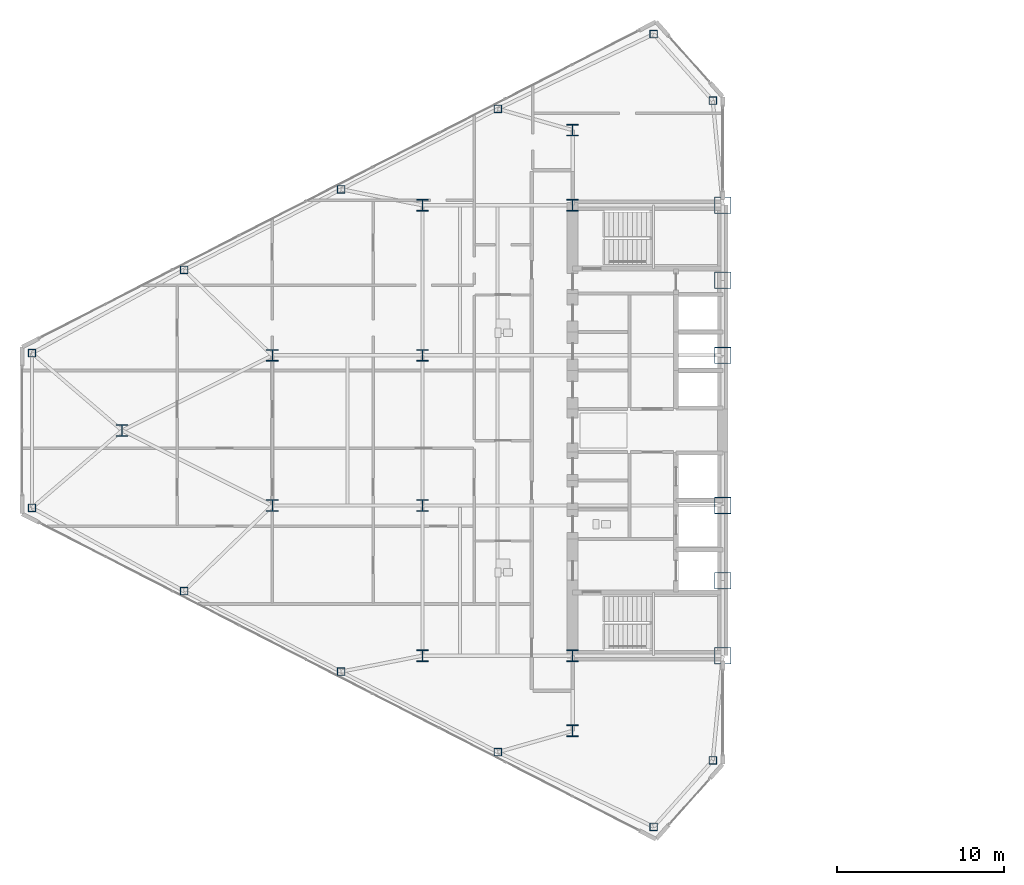
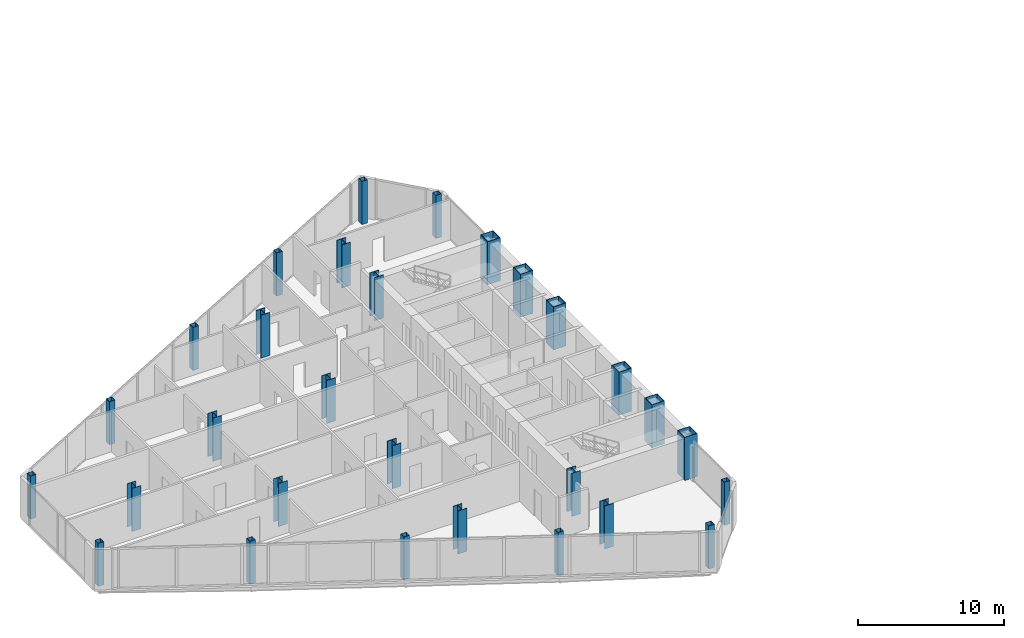
# One storey, part 1 of 24: 29 columns.
"""IFC4 building model written with IfcOpenShell, lengths in metres."""

from ifc_helpers import new_model, si_unit, direction, frame, origin, origin_2d, place, context, subcontext, project, spatial, hollow_rectangle, i_section, extrude, source, transform, mapped, material, material_profile, profile_set, type_object, type_shapes, element, save


model = new_model("IFC4")

# Units and contexts
model_context = context("Model", 3, precision=1e-05, world=origin(), true_north=direction((0.0, 1.0)))
body_context = subcontext(model_context, "Body", "Model", "MODEL_VIEW")
ifc_project = project(units=[si_unit("LENGTHUNIT", "METRE"), si_unit("AREAUNIT", "SQUARE_METRE"), si_unit("VOLUMEUNIT", "CUBIC_METRE"), si_unit("PLANEANGLEUNIT", "RADIAN"), si_unit("MASSUNIT", "GRAM", prefix="KILO")], contexts=[model_context])

# Site, building, storey
site_placement = place(None, origin())
site = spatial("IfcSite", under=ifc_project, at=site_placement, CompositionType="ELEMENT")
building_placement = place(site_placement, origin())
building = spatial("IfcBuilding", under=site, at=building_placement, Name="Seokmaru Belvedere", CompositionType="ELEMENT")
storey_placement = place(building_placement, frame((0.0, 0.0, 124.800048828125)))
storey = spatial("IfcBuildingStorey", under=building, at=storey_placement, Name="L33", CompositionType="ELEMENT", Elevation=124.800048828125)

# Columns
ifc_material_1 = material(Name="Steel HSA650 (650 MPa)", Category="steel")
ifc_material_profile_1 = material_profile(ifc_material_1, hollow_rectangle(XDim=1.0, YDim=1.0, WallThickness=0.0419921875, at=origin_2d()), Name="BOX-1000x1000x42")
ifc_profile_set_1 = profile_set([ifc_material_profile_1], Name="Steel HSA650 (650 MPa)")
column_type_1 = type_object("IfcColumnType", Name="Portal Spine Column BOX-1000", PredefinedType="COLUMN", material=ifc_profile_set_1)
shared_shape_1 = source(origin(), body_context, "Body", "SweptSolid", [
    extrude(hollow_rectangle(XDim=1.0, YDim=1.0, WallThickness=0.0419921875, at=origin_2d()), origin(), (0.0, 0.0, 1.0), 3.599853515625),
])
type_shapes(column_type_1, [shared_shape_1])
for number, where, z_axis, x_axis, name in (
    (1, (-27.5, -13.5, 0.0), (0.0, 0.0, 1.0), (1.0, 0.0, 0.0), "L33 Column WS1"),
    (2, (-27.5, -9.0, 0.0), (0.0, 0.0, 1.0), (1.0, 0.0, 0.0), "L33 Column WS2"),
    (3, (-27.5, -4.5, 0.0), (0.0, 0.0, 1.0), (1.0, 0.0, 0.0), "L33 Column WS3"),
    (4, (-27.5, 4.5, 0.0), (0.0, 0.0, 1.0), (1.0, 0.0, 0.0), "L33 Column WS4"),
    (5, (-27.5, 9.0, 0.0), (0.0, 0.0, 1.0), (1.0, 0.0, 0.0), "L33 Column WS5"),
    (6, (-27.5, 13.5, 0.0), (0.0, 0.0, 1.0), (1.0, 0.0, 0.0), "L33 Column WS6"),
):
    element("IfcColumn", number, at=place(storey_placement, frame(where, z_axis=z_axis, x_axis=x_axis)), inside=storey, type_object=column_type_1, Name=name, PredefinedType="COLUMN", context=body_context, shape_type="MappedRepresentation", body=[
        mapped(shared_shape_1, transform((0.0, 0.0, 0.0), scale=1.0)),
    ])
ifc_material_2 = material(Name="Steel SM355 (355 MPa)", Category="steel")
ifc_material_profile_2 = material_profile(ifc_material_2, i_section(OverallWidth=0.699951171875, OverallDepth=0.699951171875, WebThickness=0.028076171875, FlangeThickness=0.044921875, at=origin_2d()), Name="H-700x700x28x45")
ifc_profile_set_2 = profile_set([ifc_material_profile_2], Name="Steel SM355 (355 MPa)")
column_type_2 = type_object("IfcColumnType", Name="Mid Interior Column H-700", PredefinedType="COLUMN", material=ifc_profile_set_2)
shared_shape_2 = source(origin(), body_context, "Body", "SweptSolid", [
    extrude(i_section(OverallWidth=0.699951171875, OverallDepth=0.699951171875, WebThickness=0.028076171875, FlangeThickness=0.044921875, at=origin_2d()), origin(), (0.0, 0.0, 1.0), 3.599853515625),
])
type_shapes(column_type_2, [shared_shape_2])
for number, where, z_axis, x_axis, name in (
    (7, (-36.5, -18.0, 0.0), (0.0, 0.0, 1.0), (1.0, 0.0, 0.0), "L33 Column WC1"),
    (8, (-36.5, -13.5, 0.0), (0.0, 0.0, 1.0), (1.0, 0.0, 0.0), "L33 Column WC2"),
    (9, (-36.5, 13.5, 0.0), (0.0, 0.0, 1.0), (1.0, 0.0, 0.0), "L33 Column WC3"),
    (10, (-36.5, 18.0, 0.0), (0.0, 0.0, 1.0), (1.0, 0.0, 0.0), "L33 Column WC4"),
    (11, (-45.5, -13.5, 0.0), (0.0, 0.0, 1.0), (1.0, 0.0, 0.0), "L33 Column WG5_1"),
    (12, (-45.5, -4.5, 0.0), (0.0, 0.0, 1.0), (1.0, 0.0, 0.0), "L33 Column WG5_2"),
    (13, (-45.5, 4.5, 0.0), (0.0, 0.0, 1.0), (1.0, 0.0, 0.0), "L33 Column WG5_3"),
    (14, (-45.5, 13.5, 0.0), (0.0, 0.0, 1.0), (1.0, 0.0, 0.0), "L33 Column WG5_4"),
    (15, (-54.5, -4.5, 0.0), (0.0, 0.0, 1.0), (1.0, 0.0, 0.0), "L33 Column WG4P_1"),
    (16, (-54.5, 4.5, 0.0), (0.0, 0.0, 1.0), (1.0, 0.0, 0.0), "L33 Column WG4P_2"),
    (17, (-63.5, 0.0, 0.0), (0.0, 0.0, 1.0), (1.0, 0.0, 0.0), "L33 Column WG3P_1"),
):
    element("IfcColumn", number, at=place(storey_placement, frame(where, z_axis=z_axis, x_axis=x_axis)), inside=storey, type_object=column_type_2, Name=name, PredefinedType="COLUMN", context=body_context, shape_type="MappedRepresentation", body=[
        mapped(shared_shape_2, transform((0.0, 0.0, 0.0), scale=1.0)),
    ])
ifc_material_profile_3 = material_profile(ifc_material_2, hollow_rectangle(XDim=0.449951171875, YDim=0.449951171875, WallThickness=0.01806640625, at=origin_2d()), Name="HSS-450x450x18")
ifc_profile_set_3 = profile_set([ifc_material_profile_3], Name="Steel SM355 (355 MPa)")
column_type_3 = type_object("IfcColumnType", Name="Perimeter Facet Column HSS-450", PredefinedType="COLUMN", material=ifc_profile_set_3)
shared_shape_3 = source(origin(), body_context, "Body", "SweptSolid", [
    extrude(hollow_rectangle(XDim=0.449951171875, YDim=0.449951171875, WallThickness=0.01806640625, at=origin_2d()), origin(), (0.0, 0.0, 1.0), 3.599853515625),
])
type_shapes(column_type_3, [shared_shape_3])
for number, where, z_axis, x_axis, name in (
    (18, (-28.10009765625, -19.77197265625, 0.0), (0.0, 0.0, 1.0), (1.0, 0.0, 0.0), "L33 Column WF1"),
    (19, (-28.10009765625, 19.77197265625, 0.0), (0.0, 0.0, 1.0), (1.0, 0.0, 0.0), "L33 Column WF2"),
    (20, (-31.6396484375, 23.75390625, 0.0), (0.0, 0.0, 1.0), (1.0, 0.0, 0.0), "L33 Column WF3"),
    (21, (-68.89990234375, 4.633544921875, 0.0), (0.0, 0.0, 1.0), (1.0, 0.0, 0.0), "L33 Column WF4"),
    (22, (-68.89990234375, -4.633544921875, 0.0), (0.0, 0.0, 1.0), (1.0, 0.0, 0.0), "L33 Column WF5"),
    (23, (-31.6396484375, -23.75390625, 0.0), (0.0, 0.0, 1.0), (1.0, 0.0, 0.0), "L33 Column WF6"),
    (24, (-40.975830078125, -19.277587890625, 0.0), (0.0, 0.0, 1.0), (1.0, 0.0, 0.0), "L33 Column WFLK_S1"),
    (25, (-50.377197265625, -14.453369140625, 0.0), (0.0, 0.0, 1.0), (1.0, 0.0, 0.0), "L33 Column WFLK_S2"),
    (26, (-59.778564453125, -9.62890625, 0.0), (0.0, 0.0, 1.0), (1.0, 0.0, 0.0), "L33 Column WFLK_S3"),
    (27, (-40.975830078125, 19.277587890625, 0.0), (0.0, 0.0, 1.0), (1.0, 0.0, 0.0), "L33 Column WFLK_N1"),
    (28, (-50.377197265625, 14.453369140625, 0.0), (0.0, 0.0, 1.0), (1.0, 0.0, 0.0), "L33 Column WFLK_N2"),
    (29, (-59.778564453125, 9.62890625, 0.0), (0.0, 0.0, 1.0), (1.0, 0.0, 0.0), "L33 Column WFLK_N3"),
):
    element("IfcColumn", number, at=place(storey_placement, frame(where, z_axis=z_axis, x_axis=x_axis)), inside=storey, type_object=column_type_3, Name=name, PredefinedType="COLUMN", context=body_context, shape_type="MappedRepresentation", body=[
        mapped(shared_shape_3, transform((0.0, 0.0, 0.0), scale=1.0)),
    ])

save(model, "model.ifc")
